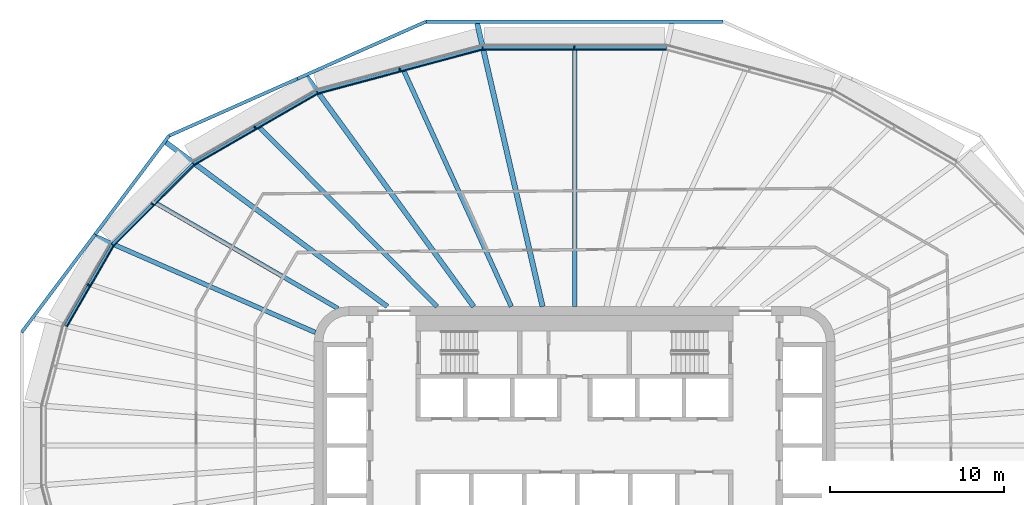
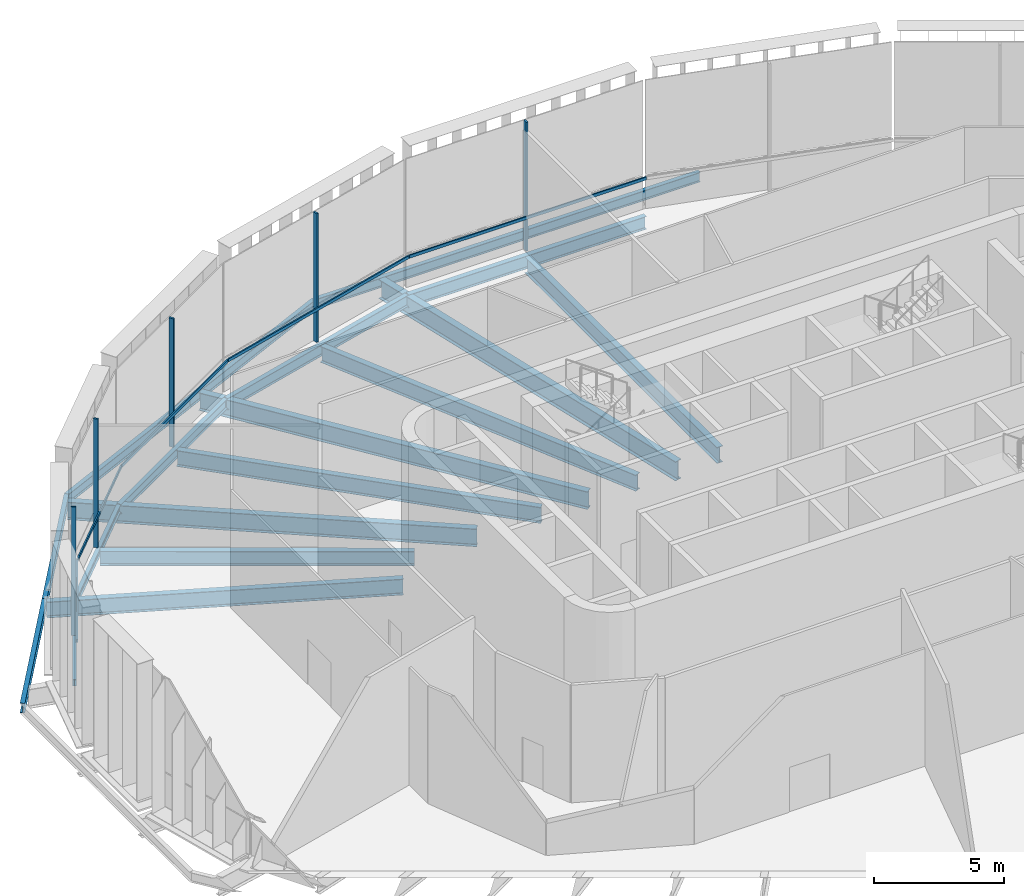
# One storey, part 4 of 18: 18 beams, 10 members, 5 elements without a shape of their own.
"""IFC4 building model written with IfcOpenShell, lengths in metres."""

from ifc_helpers import new_model, si_unit, direction, frame, origin, origin_2d, place, context, subcontext, project, spatial, rectangle, i_section, extrude, material, layer, layer_set, material_profile, profile_set, type_object, element, aggregate, save


model = new_model("IFC4")

# Units and contexts
model_context = context("Model", 3, precision=1e-05, world=origin(), true_north=direction((0.0, 1.0)))
body_context = subcontext(model_context, "Body", "Model", "MODEL_VIEW")
ifc_project = project(units=[si_unit("LENGTHUNIT", "METRE"), si_unit("AREAUNIT", "SQUARE_METRE"), si_unit("VOLUMEUNIT", "CUBIC_METRE"), si_unit("PLANEANGLEUNIT", "RADIAN"), si_unit("MASSUNIT", "GRAM", prefix="KILO")], contexts=[model_context])

# Site, building, storey
site_placement = place(None, origin())
site = spatial("IfcSite", under=ifc_project, at=site_placement, CompositionType="ELEMENT")
building_placement = place(site_placement, origin())
building = spatial("IfcBuilding", under=site, at=building_placement, Name="Sahrelin Media Tower", CompositionType="ELEMENT")
storey_placement = place(building_placement, frame((0.0, 0.0, 203.0)))
storey = spatial("IfcBuildingStorey", under=building, at=storey_placement, Name="L43", CompositionType="ELEMENT", Elevation=203.0)

# Beams
ifc_material_1 = material(Name="Steel S355", Category="steel")
ifc_material_profile_1 = material_profile(ifc_material_1, i_section(OverallWidth=0.1650390625, OverallDepth=0.303466796875, WebThickness=0.006103515625, FlangeThickness=0.01025390625, FilletRadius=0.0087890625, at=origin_2d()), Name="UB 305x165x40")
ifc_profile_set_1 = profile_set([ifc_material_profile_1], Name="Steel S355")
beam_type_1 = type_object("IfcBeamType", Name="Edge beam EB2", PredefinedType="BEAM", material=ifc_profile_set_1)
beam_1_placement = place(storey_placement, frame((-29.323486328125, 6.88671875, -0.351806640625), z_axis=(0.500004571255, 0.866022764553, 0.0), x_axis=(-0.866022764553, 0.500004571255, 0.0)))
element("IfcBeam", 1, at=beam_1_placement, inside=storey, type_object=beam_type_1, Name="Edge beam L43-15", PredefinedType="BEAM", context=body_context, shape_type="SweptSolid", body=[
    extrude(i_section(OverallWidth=0.1650390625, OverallDepth=0.303466796875, WebThickness=0.006103515625, FlangeThickness=0.01025390625, FilletRadius=0.0087890625, at=origin_2d()), origin(), (0.0, 0.0, 1.0), 5.3935546875),
])
ifc_material_profile_2 = material_profile(ifc_material_1, i_section(OverallWidth=0.17138671875, OverallDepth=0.35498046875, WebThickness=0.00732421875, FlangeThickness=0.011474609375, FilletRadius=0.01025390625, at=origin_2d()), Name="UB 356x171x51")
ifc_profile_set_2 = profile_set([ifc_material_profile_2], Name="Steel S355")
beam_type_2 = type_object("IfcBeamType", Name="Edge beam EB3", PredefinedType="BEAM", material=ifc_profile_set_2)
beam_2_placement = place(storey_placement, frame((-26.609130859375, 11.58056640625, -0.37744140625), z_axis=(0.707106781187, 0.707106781187, 0.0), x_axis=(-0.707106781187, 0.707106781187, 0.0)))
element("IfcBeam", 2, at=beam_2_placement, inside=storey, type_object=beam_type_2, Name="Edge beam L43-16", PredefinedType="BEAM", context=body_context, shape_type="SweptSolid", body=[
    extrude(i_section(OverallWidth=0.17138671875, OverallDepth=0.35498046875, WebThickness=0.00732421875, FlangeThickness=0.011474609375, FilletRadius=0.01025390625, at=origin_2d()), origin(), (0.0, 0.0, 1.0), 6.566650390625),
])
ifc_material_profile_3 = material_profile(ifc_material_1, i_section(OverallWidth=0.1904296875, OverallDepth=0.45703125, WebThickness=0.009033203125, FlangeThickness=0.014404296875, FilletRadius=0.01025390625, at=origin_2d()), Name="UB 457x191x74")
ifc_profile_set_3 = profile_set([ifc_material_profile_3], Name="Steel S355")
beam_type_3 = type_object("IfcBeamType", Name="Edge beam EB5", PredefinedType="BEAM", material=ifc_profile_set_3)
beam_3_placement = place(storey_placement, frame((-21.943115234375, 16.2412109375, -0.428466796875), z_axis=(0.866017504342, 0.500013681986, 0.0), x_axis=(-0.500013681986, 0.866017504342, 0.0)))
element("IfcBeam", 3, at=beam_3_placement, inside=storey, type_object=beam_type_3, Name="Edge beam L43-17", PredefinedType="BEAM", context=body_context, shape_type="SweptSolid", body=[
    extrude(i_section(OverallWidth=0.1904296875, OverallDepth=0.45703125, WebThickness=0.009033203125, FlangeThickness=0.014404296875, FilletRadius=0.01025390625, at=origin_2d()), origin(), (0.0, 0.0, 1.0), 8.199951171875),
])
ifc_material_profile_4 = material_profile(ifc_material_1, i_section(OverallWidth=0.208740234375, OverallDepth=0.5283203125, WebThickness=0.009521484375, FlangeThickness=0.01318359375, FilletRadius=0.0126953125, at=origin_2d()), Name="UB 533x210x82")
ifc_profile_set_4 = profile_set([ifc_material_profile_4], Name="Steel S355")
beam_type_4 = type_object("IfcBeamType", Name="Edge beam EB6", PredefinedType="BEAM", material=ifc_profile_set_4)
beam_4_placement = place(storey_placement, frame((-14.815185546875, 20.352294921875, -0.464111328125), z_axis=(0.965925344351, 0.258820843714, 0.0), x_axis=(-0.258820843714, 0.965925344351, 0.0)))
element("IfcBeam", 4, at=beam_4_placement, inside=storey, type_object=beam_type_4, Name="Edge beam L43-18", PredefinedType="BEAM", context=body_context, shape_type="SweptSolid", body=[
    extrude(i_section(OverallWidth=0.208740234375, OverallDepth=0.5283203125, WebThickness=0.009521484375, FlangeThickness=0.01318359375, FilletRadius=0.0126953125, at=origin_2d()), origin(), (0.0, 0.0, 1.0), 9.83837890625),
])
ifc_material_profile_5 = material_profile(ifc_material_1, i_section(OverallWidth=0.2275390625, OverallDepth=0.6025390625, WebThickness=0.010498046875, FlangeThickness=0.014892578125, FilletRadius=0.0126953125, at=origin_2d()), Name="UB 610x229x101")
ifc_profile_set_5 = profile_set([ifc_material_profile_5], Name="Steel S355")
beam_type_5 = type_object("IfcBeamType", Name="Edge beam EB7", PredefinedType="BEAM", material=ifc_profile_set_5)
beam_5_placement = place(storey_placement, frame((-5.283447265625, 22.90234375, -0.501220703125), z_axis=(1.0, 0.0, 0.0), x_axis=(0.0, 1.0, 0.0)))
element("IfcBeam", 5, at=beam_5_placement, inside=storey, type_object=beam_type_5, Name="Edge beam L43-19", PredefinedType="BEAM", context=body_context, shape_type="SweptSolid", body=[
    extrude(i_section(OverallWidth=0.2275390625, OverallDepth=0.6025390625, WebThickness=0.010498046875, FlangeThickness=0.014892578125, FilletRadius=0.0126953125, at=origin_2d()), origin(), (0.0, 0.0, 1.0), 10.56689453125),
])

# Curtain wall, member
ifc_material_2 = material(Name="Champagne anodised aluminium 6063-T6", Category="aluminium")
ifc_layer = layer(ifc_material_2, 0.14990234375)
ifc_layer_set = layer_set([ifc_layer], Name="Sky lobby curtain wall")
curtain_wall_type = type_object("IfcCurtainWallType", Name="Sky lobby curtain wall", PredefinedType="NOTDEFINED", material=ifc_layer_set)
curtain_wall_1_placement = place(storey_placement, frame((0.0, 23.052490234375, 0.0), z_axis=(0.0, 0.0, 1.0), x_axis=(1.0, 0.0, 0.0)))
curtain_wall_1 = element("IfcCurtainWall", 6, at=curtain_wall_1_placement, inside=storey, type_object=curtain_wall_type, Name="L43:CW:L43-06", PredefinedType="NOTDEFINED")
ifc_material_profile_6 = material_profile(ifc_material_2, rectangle(XDim=0.080078125, YDim=0.199951171875, at=origin_2d()), Name="Mullion 80x200")
ifc_profile_set_6 = profile_set([ifc_material_profile_6], Name="Champagne anodised aluminium 6063-T6")
member_type_1 = type_object("IfcMemberType", Name="Mullion 80x200 CW2", PredefinedType="MULLION", material=ifc_profile_set_6)
member_1_placement = place(storey_placement, frame((0.0, 22.932373046875, 0.0), z_axis=(0.0, 0.0, 1.0), x_axis=(-1.0, 0.0, 0.0)))
member_1 = element("IfcMember", 7, at=member_1_placement, type_object=member_type_1, Name="L43:CWM:L43-06", PredefinedType="MULLION", context=body_context, shape_type="SweptSolid", body=[
    extrude(rectangle(XDim=0.080078125, YDim=0.199951171875, at=origin_2d()), origin(), (0.0, 0.0, 1.0), 6.048583984375),
])

curtain_wall_2_placement = place(storey_placement, frame((-10.102294921875, 21.7705078125, 0.0), z_axis=(0.0, 0.0, 1.0), x_axis=(1.0, 0.0, 0.0)))
curtain_wall_2 = element("IfcCurtainWall", 8, at=curtain_wall_2_placement, inside=storey, type_object=curtain_wall_type, Name="L43:CW:L43-07", PredefinedType="NOTDEFINED")
member_2_placement = place(storey_placement, frame((-10.0712890625, 21.654296875, 0.0), z_axis=(0.0, 0.0, 1.0), x_axis=(-0.965924922834, -0.258822416818, 0.0)))
member_2 = element("IfcMember", 9, at=member_2_placement, type_object=member_type_1, Name="L43:CWM:L43-07", PredefinedType="MULLION", context=body_context, shape_type="SweptSolid", body=[
    extrude(rectangle(XDim=0.080078125, YDim=0.199951171875, at=origin_2d()), origin(), (0.0, 0.0, 1.0), 6.048583984375),
])

curtain_wall_3_placement = place(storey_placement, frame((-18.46728515625, 18.421142578125, 0.0), z_axis=(0.0, 0.0, 1.0), x_axis=(1.0, 0.0, 0.0)))
curtain_wall_3 = element("IfcCurtainWall", 10, at=curtain_wall_3_placement, inside=storey, type_object=curtain_wall_type, Name="L43:CW:L43-08", PredefinedType="NOTDEFINED")
member_3_placement = place(storey_placement, frame((-18.407470703125, 18.3173828125, 0.0), z_axis=(0.0, 0.0, 1.0), x_axis=(-0.866027149108, -0.499996976998, 0.0)))
member_3 = element("IfcMember", 11, at=member_3_placement, type_object=member_type_1, Name="L43:CWM:L43-08", PredefinedType="MULLION", context=body_context, shape_type="SweptSolid", body=[
    extrude(rectangle(XDim=0.080078125, YDim=0.199951171875, at=origin_2d()), origin(), (0.0, 0.0, 1.0), 6.048583984375),
])

curtain_wall_4_placement = place(storey_placement, frame((-24.3935546875, 14.00830078125, 0.0), z_axis=(0.0, 0.0, 1.0), x_axis=(1.0, 0.0, 0.0)))
curtain_wall_4 = element("IfcCurtainWall", 12, at=curtain_wall_4_placement, inside=storey, type_object=curtain_wall_type, Name="L43:CW:L43-09", PredefinedType="NOTDEFINED")
member_4_placement = place(storey_placement, frame((-24.30859375, 13.92333984375, 0.0), z_axis=(0.0, 0.0, 1.0), x_axis=(-0.707106781187, -0.707106781187, 0.0)))
member_4 = element("IfcMember", 13, at=member_4_placement, type_object=member_type_1, Name="L43:CWM:L43-09", PredefinedType="MULLION", context=body_context, shape_type="SweptSolid", body=[
    extrude(rectangle(XDim=0.080078125, YDim=0.199951171875, at=origin_2d()), origin(), (0.0, 0.0, 1.0), 6.048583984375),
])

curtain_wall_5_placement = place(storey_placement, frame((-28.10498046875, 9.297119140625, 0.0), z_axis=(0.0, 0.0, 1.0), x_axis=(1.0, 0.0, 0.0)))
curtain_wall_5 = element("IfcCurtainWall", 14, at=curtain_wall_5_placement, inside=storey, type_object=curtain_wall_type, Name="L43:CW:L43-10", PredefinedType="NOTDEFINED")
member_5_placement = place(storey_placement, frame((-28.001220703125, 9.2373046875, 0.0), z_axis=(0.0, 0.0, 1.0), x_axis=(-0.500003022996, -0.86602365845, 0.0)))
member_5 = element("IfcMember", 15, at=member_5_placement, type_object=member_type_1, Name="L43:CWM:L43-10", PredefinedType="MULLION", context=body_context, shape_type="SweptSolid", body=[
    extrude(rectangle(XDim=0.080078125, YDim=0.199951171875, at=origin_2d()), origin(), (0.0, 0.0, 1.0), 6.048583984375),
])

# Beams
ifc_material_profile_7 = material_profile(ifc_material_1, i_section(OverallWidth=0.291748046875, OverallDepth=0.8349609375, WebThickness=0.013916015625, FlangeThickness=0.018798828125, FilletRadius=0.017822265625, at=origin_2d()), Name="UB 838x292x176")
ifc_profile_set_7 = profile_set([ifc_material_profile_7], Name="Steel S355")
beam_type_6 = type_object("IfcBeamType", Name="Radial primary beam PB10", PredefinedType="BEAM", material=ifc_profile_set_7)
beam_6_placement = place(storey_placement, frame((-5.81298828125, 8.0, -0.617431640625), z_axis=(-0.587812672257, 0.808997071895, 0.0), x_axis=(-0.808997071895, -0.587812672257, 0.0)))
element("IfcBeam", 16, at=beam_6_placement, inside=storey, type_object=beam_type_6, Name="Radial beam L43-08", PredefinedType="BEAM", context=body_context, shape_type="SweptSolid", body=[
    extrude(i_section(OverallWidth=0.291748046875, OverallDepth=0.8349609375, WebThickness=0.013916015625, FlangeThickness=0.018798828125, FilletRadius=0.017822265625, at=origin_2d()), origin(), (0.0, 0.0, 1.0), 16.3779296875),
])
beam_7_placement = place(storey_placement, frame((-10.78515625, 8.0, -0.617431640625), z_axis=(-0.803161934707, 0.595760779708, 0.0), x_axis=(-0.595760779708, -0.803161934707, 0.0)))
element("IfcBeam", 17, at=beam_7_placement, inside=storey, type_object=beam_type_6, Name="Radial beam L43-09", PredefinedType="BEAM", context=body_context, shape_type="SweptSolid", body=[
    extrude(i_section(OverallWidth=0.291748046875, OverallDepth=0.8349609375, WebThickness=0.013916015625, FlangeThickness=0.018798828125, FilletRadius=0.017822265625, at=origin_2d()), origin(), (0.0, 0.0, 1.0), 15.862060546875),
])
ifc_material_profile_8 = material_profile(ifc_material_1, i_section(OverallWidth=0.30322265625, OverallDepth=0.903076171875, WebThickness=0.01513671875, FlangeThickness=0.020263671875, FilletRadius=0.01904296875, at=origin_2d()), Name="UB 914x305x201")
ifc_profile_set_8 = profile_set([ifc_material_profile_8], Name="Steel S355")
beam_type_7 = type_object("IfcBeamType", Name="Radial primary beam PB11", PredefinedType="BEAM", material=ifc_profile_set_8)
beam_8_placement = place(storey_placement, frame((-1.845458984375, 8.0, -0.651611328125), z_axis=(-0.224776450288, 0.97441035883, 0.0), x_axis=(-0.97441035883, -0.224776450288, 0.0)))
element("IfcBeam", 18, at=beam_8_placement, inside=storey, type_object=beam_type_7, Name="Radial beam L43-07", PredefinedType="BEAM", context=body_context, shape_type="SweptSolid", body=[
    extrude(i_section(OverallWidth=0.30322265625, OverallDepth=0.903076171875, WebThickness=0.01513671875, FlangeThickness=0.020263671875, FilletRadius=0.01904296875, at=origin_2d()), origin(), (0.0, 0.0, 1.0), 16.7451171875),
])
ifc_material_profile_9 = material_profile(ifc_material_1, i_section(OverallWidth=0.26513671875, OverallDepth=0.75390625, WebThickness=0.0126953125, FlangeThickness=0.017578125, FilletRadius=0.0166015625, at=origin_2d()), Name="UB 762x267x147")
ifc_profile_set_9 = profile_set([ifc_material_profile_9], Name="Steel S355")
beam_type_8 = type_object("IfcBeamType", Name="Radial primary beam PB9", PredefinedType="BEAM", material=ifc_profile_set_9)
beam_9_placement = place(storey_placement, frame((-14.9326171875, 6.5126953125, -0.576904296875), z_axis=(-0.916606423673, 0.399790775384, 0.0), x_axis=(-0.399790775384, -0.916606423673, 0.0)))
element("IfcBeam", 19, at=beam_9_placement, inside=storey, type_object=beam_type_8, Name="Radial beam L43-10", PredefinedType="BEAM", context=body_context, shape_type="SweptSolid", body=[
    extrude(i_section(OverallWidth=0.26513671875, OverallDepth=0.75390625, WebThickness=0.0126953125, FlangeThickness=0.017578125, FilletRadius=0.0166015625, at=origin_2d()), origin(), (0.0, 0.0, 1.0), 13.806640625),
])
ifc_material_profile_10 = material_profile(ifc_material_1, i_section(OverallWidth=0.2529296875, OverallDepth=0.677978515625, WebThickness=0.01171875, FlangeThickness=0.01611328125, FilletRadius=0.01513671875, at=origin_2d()), Name="UB 686x254x125")
ifc_profile_set_10 = profile_set([ifc_material_profile_10], Name="Steel S355")
beam_type_9 = type_object("IfcBeamType", Name="Radial secondary beam SB8", PredefinedType="BEAM", material=ifc_profile_set_10)
beam_10_placement = place(storey_placement, frame((-13.625244140625, 7.88720703125, -0.538818359375), z_axis=(-0.86545065699, 0.500994171938, 0.0), x_axis=(-0.500994171938, -0.86545065699, 0.0)))
element("IfcBeam", 20, at=beam_10_placement, inside=storey, type_object=beam_type_9, Name="Secondary beam L43-09", PredefinedType="BEAM", context=body_context, shape_type="SweptSolid", body=[
    extrude(i_section(OverallWidth=0.2529296875, OverallDepth=0.677978515625, WebThickness=0.01171875, FlangeThickness=0.01611328125, FilletRadius=0.01513671875, at=origin_2d()), origin(), (0.0, 0.0, 1.0), 12.115966796875),
])
ifc_material_profile_11 = material_profile(ifc_material_1, i_section(OverallWidth=0.26513671875, OverallDepth=0.75390625, WebThickness=0.0126953125, FlangeThickness=0.017578125, FilletRadius=0.0166015625, at=origin_2d()), Name="UB 762x267x147")
ifc_profile_set_11 = profile_set([ifc_material_profile_11], Name="Steel S355")
beam_type_10 = type_object("IfcBeamType", Name="Radial secondary beam SB9", PredefinedType="BEAM", material=ifc_profile_set_11)
beam_11_placement = place(storey_placement, frame((0.0, 8.0, -0.576904296875), z_axis=(0.0, 1.0, 0.0), x_axis=(-1.0, 0.0, 0.0)))
element("IfcBeam", 21, at=beam_11_placement, inside=storey, type_object=beam_type_10, Name="Secondary beam L43-06", PredefinedType="BEAM", context=body_context, shape_type="SweptSolid", body=[
    extrude(i_section(OverallWidth=0.26513671875, OverallDepth=0.75390625, WebThickness=0.0126953125, FlangeThickness=0.017578125, FilletRadius=0.0166015625, at=origin_2d()), origin(), (0.0, 0.0, 1.0), 14.78857421875),
])
beam_12_placement = place(storey_placement, frame((-3.645263671875, 8.0, -0.576904296875), z_axis=(-0.414626182867, 0.909991828799, 0.0), x_axis=(-0.909991828799, -0.414626182867, 0.0)))
element("IfcBeam", 22, at=beam_12_placement, inside=storey, type_object=beam_type_10, Name="Secondary beam L43-07", PredefinedType="BEAM", context=body_context, shape_type="SweptSolid", body=[
    extrude(i_section(OverallWidth=0.26513671875, OverallDepth=0.75390625, WebThickness=0.0126953125, FlangeThickness=0.017578125, FilletRadius=0.0166015625, at=origin_2d()), origin(), (0.0, 0.0, 1.0), 14.922607421875),
])
beam_13_placement = place(storey_placement, frame((-7.921630859375, 8.0, -0.576904296875), z_axis=(-0.70361995026, 0.710576502283, 0.0), x_axis=(-0.710576502283, -0.70361995026, 0.0)))
element("IfcBeam", 23, at=beam_13_placement, inside=storey, type_object=beam_type_10, Name="Secondary beam L43-08", PredefinedType="BEAM", context=body_context, shape_type="SweptSolid", body=[
    extrude(i_section(OverallWidth=0.26513671875, OverallDepth=0.75390625, WebThickness=0.0126953125, FlangeThickness=0.017578125, FilletRadius=0.0166015625, at=origin_2d()), origin(), (0.0, 0.0, 1.0), 14.529296875),
])
ifc_material_profile_12 = material_profile(ifc_material_1, i_section(OverallWidth=0.1904296875, OverallDepth=0.45703125, WebThickness=0.009033203125, FlangeThickness=0.014404296875, FilletRadius=0.01025390625, at=origin_2d()), Name="UB 457x191x74")
ifc_profile_set_12 = profile_set([ifc_material_profile_12], Name="Steel S355")
beam_type_11 = type_object("IfcBeamType", Name="Tie chord TC5", PredefinedType="BEAM", material=ifc_profile_set_12)
beam_14_placement = place(storey_placement, frame((-31.847900390625, 6.51220703125, -0.428466796875), z_axis=(0.600071899734, 0.799946070151, 0.0), x_axis=(-0.799946070151, 0.600071899734, 0.0)))
element("IfcBeam", 24, at=beam_14_placement, inside=storey, type_object=beam_type_11, Name="Tie chord L43-12", PredefinedType="BEAM", context=body_context, shape_type="SweptSolid", body=[
    extrude(i_section(OverallWidth=0.1904296875, OverallDepth=0.45703125, WebThickness=0.009033203125, FlangeThickness=0.014404296875, FilletRadius=0.01025390625, at=origin_2d()), origin(), (0.0, 0.0, 1.0), 7.0625),
])
beam_15_placement = place(storey_placement, frame((-27.60986328125, 12.161865234375, -0.428466796875), z_axis=(0.5999724685, 0.800020647885, 0.0), x_axis=(-0.800020647885, 0.5999724685, 0.0)))
element("IfcBeam", 25, at=beam_15_placement, inside=storey, type_object=beam_type_11, Name="Tie chord L43-13", PredefinedType="BEAM", context=body_context, shape_type="SweptSolid", body=[
    extrude(i_section(OverallWidth=0.1904296875, OverallDepth=0.45703125, WebThickness=0.009033203125, FlangeThickness=0.014404296875, FilletRadius=0.01025390625, at=origin_2d()), origin(), (0.0, 0.0, 1.0), 7.09423828125),
])
beam_16_placement = place(storey_placement, frame((-23.353515625, 17.83740234375, -0.428466796875), z_axis=(0.913836451226, 0.406082430562, 0.0), x_axis=(-0.406082430562, 0.913836451226, 0.0)))
element("IfcBeam", 26, at=beam_16_placement, inside=storey, type_object=beam_type_11, Name="Tie chord L43-14", PredefinedType="BEAM", context=body_context, shape_type="SweptSolid", body=[
    extrude(i_section(OverallWidth=0.1904296875, OverallDepth=0.45703125, WebThickness=0.009033203125, FlangeThickness=0.014404296875, FilletRadius=0.01025390625, at=origin_2d()), origin(), (0.0, 0.0, 1.0), 8.0849609375),
])
beam_17_placement = place(storey_placement, frame((-15.965087890625, 21.12060546875, -0.428466796875), z_axis=(0.91383514844, 0.406085362301, 0.0), x_axis=(-0.406085362301, 0.91383514844, 0.0)))
element("IfcBeam", 27, at=beam_17_placement, inside=storey, type_object=beam_type_11, Name="Tie chord L43-15", PredefinedType="BEAM", context=body_context, shape_type="SweptSolid", body=[
    extrude(i_section(OverallWidth=0.1904296875, OverallDepth=0.45703125, WebThickness=0.009033203125, FlangeThickness=0.014404296875, FilletRadius=0.01025390625, at=origin_2d()), origin(), (0.0, 0.0, 1.0), 8.104736328125),
])
beam_18_placement = place(storey_placement, frame((-8.55859375, 24.411865234375, -0.428466796875), z_axis=(1.0, 0.0, 0.0), x_axis=(0.0, 1.0, 0.0)))
element("IfcBeam", 28, at=beam_18_placement, inside=storey, type_object=beam_type_11, Name="Tie chord L43-16", PredefinedType="BEAM", context=body_context, shape_type="SweptSolid", body=[
    extrude(i_section(OverallWidth=0.1904296875, OverallDepth=0.45703125, WebThickness=0.009033203125, FlangeThickness=0.014404296875, FilletRadius=0.01025390625, at=origin_2d()), origin(), (0.0, 0.0, 1.0), 17.1171875),
])

# Member
ifc_material_profile_13 = material_profile(ifc_material_2, rectangle(XDim=0.06005859375, YDim=0.139892578125, at=origin_2d()), Name="Transom 60x140")
ifc_profile_set_13 = profile_set([ifc_material_profile_13], Name="Champagne anodised aluminium 6063-T6")
member_type_2 = type_object("IfcMemberType", Name="Transom 60x140 CW2", PredefinedType="USERDEFINED", material=ifc_profile_set_13)
member_6_placement = place(storey_placement, frame((5.267822265625, 22.802490234375, 1.60009765625), z_axis=(-1.0, 0.0, 0.0), x_axis=(0.0, -1.0, 0.0)))
member_6 = element("IfcMember", 29, at=member_6_placement, type_object=member_type_2, Name="L43:CWT:L43-06", ObjectType="TRANSOM", PredefinedType="USERDEFINED", context=body_context, shape_type="SweptSolid", body=[
    extrude(rectangle(XDim=0.06005859375, YDim=0.139892578125, at=origin_2d()), origin(), (0.0, 0.0, 1.0), 10.53564453125),
])

aggregate(curtain_wall_1, [member_1, member_6])

member_7_placement = place(storey_placement, frame((-5.301513671875, 22.798095703125, 1.60009765625), z_axis=(-0.9659206025, -0.258838539761, 0.0), x_axis=(0.258838539761, -0.9659206025, 0.0)))
member_7 = element("IfcMember", 30, at=member_7_placement, type_object=member_type_2, Name="L43:CWT:L43-07", ObjectType="TRANSOM", PredefinedType="USERDEFINED", context=body_context, shape_type="SweptSolid", body=[
    extrude(rectangle(XDim=0.06005859375, YDim=0.139892578125, at=origin_2d()), origin(), (0.0, 0.0, 1.0), 9.806640625),
])

aggregate(curtain_wall_2, [member_2, member_7])

member_8_placement = place(storey_placement, frame((-14.805419921875, 20.246826171875, 1.60009765625), z_axis=(-0.866021832376, -0.500006185809, 0.0), x_axis=(0.500006185809, -0.866021832376, 0.0)))
member_8 = element("IfcMember", 31, at=member_8_placement, type_object=member_type_2, Name="L43:CWT:L43-08", ObjectType="TRANSOM", PredefinedType="USERDEFINED", context=body_context, shape_type="SweptSolid", body=[
    extrude(rectangle(XDim=0.06005859375, YDim=0.139892578125, at=origin_2d()), origin(), (0.0, 0.0, 1.0), 8.16845703125),
])

aggregate(curtain_wall_3, [member_3, member_8])

member_9_placement = place(storey_placement, frame((-21.90625, 16.14208984375, 1.60009765625), z_axis=(-0.707106781187, -0.707106781187, 0.0), x_axis=(0.707106781187, -0.707106781187, 0.0)))
member_9 = element("IfcMember", 32, at=member_9_placement, type_object=member_type_2, Name="L43:CWT:L43-09", ObjectType="TRANSOM", PredefinedType="USERDEFINED", context=body_context, shape_type="SweptSolid", body=[
    extrude(rectangle(XDim=0.06005859375, YDim=0.139892578125, at=origin_2d()), origin(), (0.0, 0.0, 1.0), 6.53515625),
])

aggregate(curtain_wall_4, [member_4, member_9])

member_10_placement = place(storey_placement, frame((-26.548095703125, 11.493896484375, 1.60009765625), z_axis=(-0.499993097703, -0.866029388791, 0.0), x_axis=(0.866029388791, -0.499993097703, 0.0)))
member_10 = element("IfcMember", 33, at=member_10_placement, type_object=member_type_2, Name="L43:CWT:L43-10", ObjectType="TRANSOM", PredefinedType="USERDEFINED", context=body_context, shape_type="SweptSolid", body=[
    extrude(rectangle(XDim=0.06005859375, YDim=0.139892578125, at=origin_2d()), origin(), (0.0, 0.0, 1.0), 5.36181640625),
])

aggregate(curtain_wall_5, [member_5, member_10])

save(model, "model.ifc")
